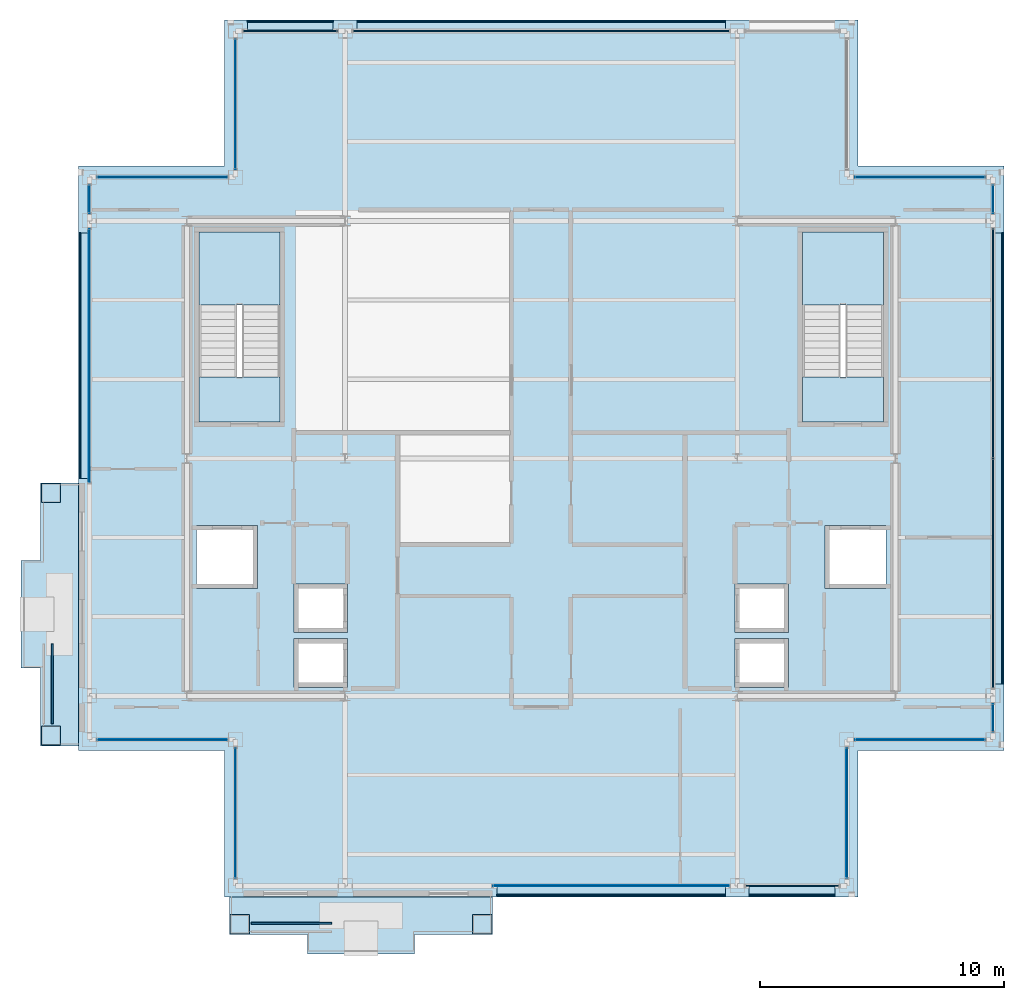
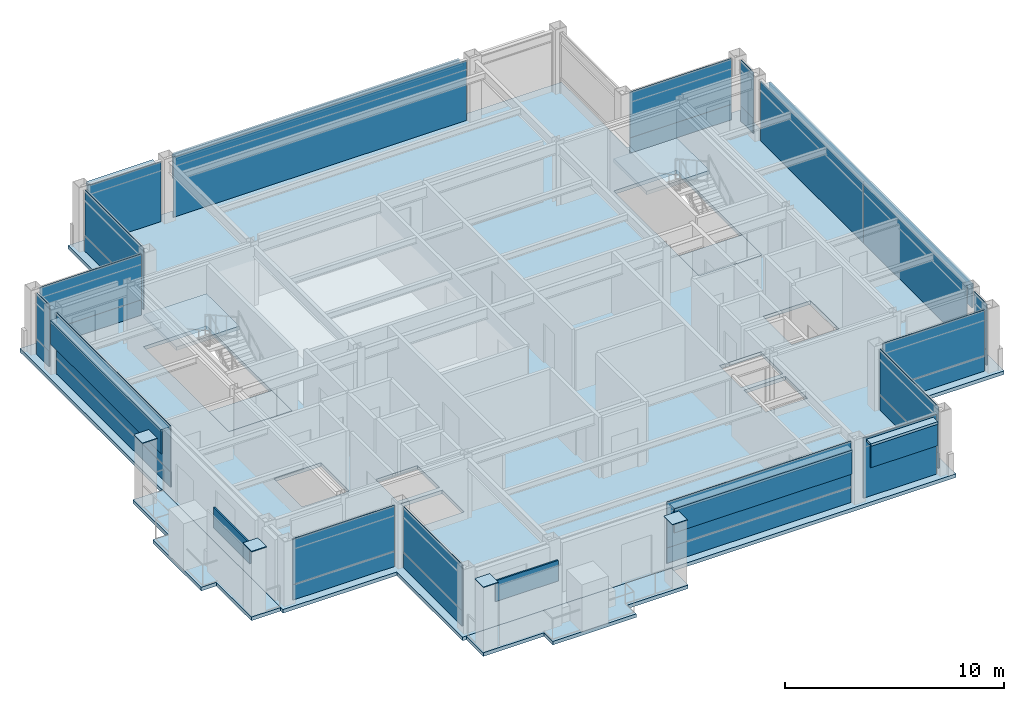
# One storey, part 21 of 27: 47 plates, 7 slabs, 18 elements without a shape of their own.
"""IFC4 building model written with IfcOpenShell, lengths in metres."""

import ifcopenshell
import ifcopenshell.guid

model = None  # the IFC model being written
_history = None  # IfcOwnerHistory: only IFC2X3 demands one
_inside = {}  # id of a spatial element -> (the spatial element, [elements in it])
_under = {}  # id of a project, library or spatial element -> (it, [spatial elements below it])
_declared = {}  # id of a project -> (the project, [libraries it declares])
_typed = {}  # id of a type object -> (the type object, [elements of that type])
_made_of = {}  # id of a material, layer set ... -> (it, [elements and type objects made of it])


def new_model(schema):
    """Start an empty IFC model of exactly this schema.

    Asked for "IFC4X3", IfcOpenShell would pick the latest addendum, in which some entities
    have other attributes; the version numbers below select the first issue.
    IFC2X3 requires an IfcOwnerHistory on every rooted entity: one is made here for all.
    """
    global model, _history
    if schema == "IFC4X3":
        model = ifcopenshell.file(schema_version=(4, 3, 0, 0))
    else:
        model = ifcopenshell.file(schema=schema)
    _inside.clear()
    _under.clear()
    _declared.clear()
    _typed.clear()
    _made_of.clear()
    _history = None
    if model.schema == "IFC2X3":
        org = make("IfcOrganization", Name="unknown")
        user = make(
            "IfcPersonAndOrganization",
            ThePerson=make("IfcPerson", FamilyName="unknown"),
            TheOrganization=org,
        )
        app = make(
            "IfcApplication",
            ApplicationDeveloper=org,
            Version="unknown",
            ApplicationFullName="unknown",
            ApplicationIdentifier="unknown",
        )
        _history = make(
            "IfcOwnerHistory",
            OwningUser=user,
            OwningApplication=app,
            ChangeAction="ADDED",
            CreationDate=0,
        )
    return model


def make(cls, **values):
    """One entity of the class cls with the attributes given. An attribute that is None is left unset."""
    return model.create_entity(
        cls, **{name: value for name, value in values.items() if value is not None}
    )


def rooted(cls, **values):
    """An entity with a GlobalId (a new one), such as an element, a storey or a relation."""
    return make(cls, GlobalId=ifcopenshell.guid.new(), OwnerHistory=_history, **values)


def si_unit(unit_type, name, prefix=None):
    """IfcSIUnit, for example si_unit("LENGTHUNIT", "METRE", prefix="MILLI")."""
    return make("IfcSIUnit", UnitType=unit_type, Prefix=prefix, Name=name)


def assignment(units):
    """IfcUnitAssignment: the units of a project."""
    return None if units is None else make("IfcUnitAssignment", Units=units)


def point(xyz):
    """IfcCartesianPoint."""
    return None if xyz is None else make("IfcCartesianPoint", Coordinates=xyz)


def direction(xyz):
    """IfcDirection."""
    return None if xyz is None else make("IfcDirection", DirectionRatios=xyz)


def frame(location, z_axis=None, x_axis=None):
    """IfcAxis2Placement3D, a coordinate frame: its origin and axes. An axis left out is left unset."""
    return make(
        "IfcAxis2Placement3D",
        Location=point(location),
        Axis=direction(z_axis),
        RefDirection=direction(x_axis),
    )


def frame_2d(location, x_axis=None):
    """IfcAxis2Placement2D, a coordinate frame in the plane: its origin and x axis."""
    return make(
        "IfcAxis2Placement2D", Location=point(location), RefDirection=direction(x_axis)
    )


def origin():
    """The frame at (0, 0, 0) with its axes left unset."""
    return frame((0.0, 0.0, 0.0))


def origin_2d():
    """The frame at (0, 0) in the plane with its x axis left unset."""
    return frame_2d((0.0, 0.0))


def place(relative_to, where):
    """IfcLocalPlacement: puts the frame where relative to a parent placement (None: the world)."""
    return make(
        "IfcLocalPlacement", PlacementRelTo=relative_to, RelativePlacement=where
    )


def context(
    kind, dimensions, precision=None, world=None, true_north=None, identifier=None
):
    """IfcGeometricRepresentationContext, for example the 3D "Model" context."""
    return make(
        "IfcGeometricRepresentationContext",
        ContextIdentifier=identifier,
        ContextType=kind,
        CoordinateSpaceDimension=dimensions,
        Precision=precision,
        WorldCoordinateSystem=world,
        TrueNorth=true_north,
    )


def subcontext(parent, identifier, kind, view, scale=None):
    """IfcGeometricRepresentationSubContext, for example "Body" below "Model"."""
    return make(
        "IfcGeometricRepresentationSubContext",
        ContextIdentifier=identifier,
        ContextType=kind,
        ParentContext=parent,
        TargetScale=scale,
        TargetView=view,
    )


def project(units=None, contexts=None):
    """IfcProject with its units and contexts."""
    return rooted(
        "IfcProject",
        Name="project",
        RepresentationContexts=contexts,
        UnitsInContext=assignment(units),
    )


def spatial(cls, under=None, at=None, **own):
    """A site, building, storey or space (cls), placed at a placement, below another one or the project."""
    s = rooted(cls, ObjectPlacement=at, **own)
    if under is not None:
        _under.setdefault(under.id(), (under, []))[1].append(s)
    return s


def polyline(points):
    """IfcPolyline through the points."""
    return make("IfcPolyline", Points=[point(p) for p in points])


def profile(cls, at=None, kind="AREA", **sizes):
    """A parametric profile (cls). Its sizes go by their IFC names, for example OverallWidth=200.0."""
    return make(cls, ProfileType=kind, Position=at, **sizes)


def rectangle(**sizes):
    """IfcRectangleProfileDef."""
    return profile("IfcRectangleProfileDef", **sizes)


def outline(outer, holes=None, kind="AREA"):
    """IfcArbitraryClosedProfileDef: a profile drawn as a closed curve; with holes, ...WithVoids."""
    if holes is None:
        return make("IfcArbitraryClosedProfileDef", ProfileType=kind, OuterCurve=outer)
    return make(
        "IfcArbitraryProfileDefWithVoids",
        ProfileType=kind,
        OuterCurve=outer,
        InnerCurves=holes,
    )


def extrude(swept, where, along, depth):
    """IfcExtrudedAreaSolid: the profile swept, set in the frame where, extruded along a direction by depth."""
    return make(
        "IfcExtrudedAreaSolid",
        SweptArea=swept,
        Position=where,
        ExtrudedDirection=direction(along),
        Depth=depth,
    )


def shape(context_of_items, identifier, shape_type, items):
    """IfcShapeRepresentation: the items that make up one representation, for example the "Body"."""
    return make(
        "IfcShapeRepresentation",
        ContextOfItems=context_of_items,
        RepresentationIdentifier=identifier,
        RepresentationType=shape_type,
        Items=items,
    )


def material(Name=None, Category=None):
    """IfcMaterial."""
    return make("IfcMaterial", Name=Name, Category=Category)


def layer(
    of_material, thickness, ventilated=None, Name=None, Category=None, Priority=None
):
    """IfcMaterialLayer: one layer of a wall or slab, of a material (None: an air gap)."""
    return make(
        "IfcMaterialLayer",
        Material=of_material,
        LayerThickness=thickness,
        IsVentilated=ventilated,
        Name=Name,
        Category=Category,
        Priority=Priority,
    )


def layer_set(layers, Name=None):
    """IfcMaterialLayerSet."""
    return make("IfcMaterialLayerSet", MaterialLayers=layers, LayerSetName=Name)


def made_of(thing, what):
    """Note that an element or type object is made of a material, layer set ...; save() writes the relation."""
    if what is not None:
        _made_of.setdefault(what.id(), (what, []))[1].append(thing)
    return thing


def type_object(cls, material=None, **own):
    """A type object (cls), such as IfcWallType, which elements share."""
    return made_of(rooted(cls, **own), material)


def element(
    cls,
    number,
    at=None,
    inside=None,
    cuts=None,
    type_object=None,
    material=None,
    context=None,
    identifier="Body",
    shape_type=None,
    held_by="IfcProductDefinitionShape",
    body=None,
    shapes=None,
    **own,
):
    """One element of the class cls, such as IfcWall. Its Tag is "e" and its number.

    at: its placement. inside: the storey or other place that contains it. cuts: it is an
    opening in that element (IfcRelVoidsElement). A single representation is given by context,
    identifier, shape_type and body (its items); several are given by shapes. held_by: the class
    of the entity that holds the representations. save() writes the other relations.
    """
    e = rooted(cls, Tag="e%d" % number, ObjectPlacement=at, **own)
    if body is not None:
        shapes = [shape(context, identifier, shape_type, body)]
    if shapes is not None:
        e.Representation = make(held_by, Representations=shapes)
    if inside is not None:
        _inside.setdefault(inside.id(), (inside, []))[1].append(e)
    if cuts is not None:
        rooted(
            "IfcRelVoidsElement", RelatingBuildingElement=cuts, RelatedOpeningElement=e
        )
    if type_object is not None:
        _typed.setdefault(type_object.id(), (type_object, []))[1].append(e)
    return made_of(e, material)


def aggregate(whole, parts):
    """IfcRelAggregates: a whole, such as a stair, and the parts it consists of."""
    return rooted("IfcRelAggregates", RelatingObject=whole, RelatedObjects=parts)


def save(model, path):
    """Write the relations noted so far, then the file.

    IfcRelAggregates (storeys below a building ...), IfcRelContainedInSpatialStructure (elements
    in a storey), IfcRelDefinesByType, IfcRelAssociatesMaterial and IfcRelDeclares: one each for
    every whole, place, type object, material and project.
    """
    for whole, parts in _under.values():
        aggregate(whole, parts)
    for where, things in _inside.values():
        rooted(
            "IfcRelContainedInSpatialStructure",
            RelatedElements=things,
            RelatingStructure=where,
        )
    for kind, things in _typed.values():
        rooted("IfcRelDefinesByType", RelatedObjects=things, RelatingType=kind)
    for what, things in _made_of.values():
        rooted("IfcRelAssociatesMaterial", RelatedObjects=things, RelatingMaterial=what)
    for by, libraries in _declared.values():
        rooted("IfcRelDeclares", RelatingContext=by, RelatedDefinitions=libraries)
    model.write(path)


model = new_model("IFC4")

# Units and contexts
model_context = context("Model", 3, precision=1e-05, world=origin(), true_north=direction((0.0, 1.0)))
body_context = subcontext(model_context, "Body", "Model", "MODEL_VIEW")
ifc_project = project(units=[si_unit("LENGTHUNIT", "METRE"), si_unit("AREAUNIT", "SQUARE_METRE"), si_unit("VOLUMEUNIT", "CUBIC_METRE"), si_unit("PLANEANGLEUNIT", "RADIAN"), si_unit("MASSUNIT", "GRAM", prefix="KILO")], contexts=[model_context])

# Site, building, storey
site_placement = place(None, origin())
site = spatial("IfcSite", under=ifc_project, at=site_placement, CompositionType="ELEMENT")
building_placement = place(site_placement, origin())
building = spatial("IfcBuilding", under=site, at=building_placement, Name="Brelmoor Portico Tower", CompositionType="ELEMENT")
storey_placement = place(building_placement, frame((0.0, 0.0, 250.800048828125)))
storey = spatial("IfcBuildingStorey", under=building, at=storey_placement, Name="L66", CompositionType="ELEMENT", Elevation=250.800048828125)

# Plates
ifc_material_1 = material(Name="Steel Q355B", Category="steel")
ifc_layer_1 = layer(ifc_material_1, 0.044921875)
ifc_layer_set_1 = layer_set([ifc_layer_1], Name="Steel Q355B")
plate_type_1 = type_object("IfcPlateType", Name="PT-CAP-650", PredefinedType="SHEET", material=ifc_layer_set_1)
for number, where, z_axis, x_axis, name in (
    (1, (-12.3798828125, -19.1298828125, 3.599853515625), (0.0, 0.0, 1.0), (1.0, 0.0, 0.0), "L66 Proud Picture-Frame Pier PFJ-S1 Welded Head Cap Plate"),
    (2, (-2.419921875, -19.1298828125, 3.599853515625), (0.0, 0.0, 1.0), (1.0, 0.0, 0.0), "L66 Proud Picture-Frame Pier PFJ-S2 Welded Head Cap Plate"),
    (3, (-20.1298828125, -11.3798828125, 3.599853515625), (0.0, 0.0, 1.0), (0.0, 1.0, 0.0), "L66 Proud Picture-Frame Pier PFJ-W1 Welded Head Cap Plate"),
    (4, (-20.1298828125, -1.419921875, 3.599853515625), (0.0, 0.0, 1.0), (0.0, 1.0, 0.0), "L66 Proud Picture-Frame Pier PFJ-W2 Welded Head Cap Plate"),
):
    element("IfcPlate", number, at=place(storey_placement, frame(where, z_axis=z_axis, x_axis=x_axis)), inside=storey, type_object=plate_type_1, Name=name, PredefinedType="SHEET", context=body_context, shape_type="SweptSolid", body=[
        extrude(rectangle(XDim=0.7900390625, YDim=0.7900390625, at=origin_2d()), origin(), (0.0, 0.0, 1.0), 0.0400390625),
    ])

# Curtain wall, plate
ifc_material_2 = material(Name="Anodised Aluminium Alloy 6063-T6", Category="aluminium")
ifc_layer_2 = layer(ifc_material_2, 0.179931640625)
ifc_layer_set_2 = layer_set([ifc_layer_2], Name="Anodised Aluminium Alloy 6063-T6")
curtain_wall_type_1 = type_object("IfcCurtainWallType", Name="CW-TOWER-Z4", PredefinedType="NOTDEFINED", material=ifc_layer_set_2)
curtain_wall_1_placement = place(storey_placement, origin())
curtain_wall_1 = element("IfcCurtainWall", 5, at=curtain_wall_1_placement, inside=storey, type_object=curtain_wall_type_1, Name="L66 Curtain Wall CW-L66-1R-1", PredefinedType="NOTDEFINED")
ifc_material_3 = material(Name="Double-Silver Low-E Insulated Glazing", Category="glass")
ifc_layer_3 = layer(ifc_material_3, 0.035888671875)
ifc_layer_set_3 = layer_set([ifc_layer_3], Name="Double-Silver Low-E Insulated Glazing")
plate_type_2 = type_object("IfcPlateType", Name="PT-CW-GLASS", PredefinedType="CURTAIN_PANEL", material=ifc_layer_set_3)
plate_1_placement = place(storey_placement, frame((2.8701171875, -17.550048828125, 0.85009765625), z_axis=(0.0, 0.0, 1.0), x_axis=(1.0, 0.0, 0.0)))
plate_1 = element("IfcPlate", 6, at=plate_1_placement, type_object=plate_type_2, Name="CW-L66-1R-1 Vision Glass Panel 00", PredefinedType="CURTAIN_PANEL", context=body_context, shape_type="SweptSolid", body=[
    extrude(rectangle(XDim=9.7099609375, YDim=0.035888671875, at=origin_2d()), origin(), (0.0, 0.0, 1.0), 2.550048828125),
])

curtain_wall_2_placement = place(storey_placement, origin())
curtain_wall_2 = element("IfcCurtainWall", 7, at=curtain_wall_2_placement, inside=storey, type_object=curtain_wall_type_1, Name="L66 Curtain Wall CW-L66-3R-1", PredefinedType="NOTDEFINED")
plate_2_placement = place(storey_placement, frame((-18.550048828125, 4.219970703125, 0.85009765625), z_axis=(0.0, 0.0, 1.0), x_axis=(0.0, 1.0, 0.0)))
plate_2 = element("IfcPlate", 8, at=plate_2_placement, type_object=plate_type_2, Name="CW-L66-3R-1 Vision Glass Panel 00", PredefinedType="CURTAIN_PANEL", context=body_context, shape_type="SweptSolid", body=[
    extrude(rectangle(XDim=10.409912109375, YDim=0.035888671875, at=origin_2d()), origin(), (0.0, 0.0, 1.0), 2.550048828125),
])

curtain_wall_3_placement = place(storey_placement, origin())
curtain_wall_3 = element("IfcCurtainWall", 9, at=curtain_wall_3_placement, inside=storey, type_object=curtain_wall_type_1, Name="L66 Curtain Wall CW-L66-3R-2", PredefinedType="NOTDEFINED")
plate_3_placement = place(storey_placement, frame((-18.550048828125, 10.64990234375, 0.85009765625), z_axis=(0.0, 0.0, 1.0), x_axis=(0.0, 1.0, 0.0)))
plate_3 = element("IfcPlate", 10, at=plate_3_placement, type_object=plate_type_2, Name="CW-L66-3R-2 Vision Glass Panel 00", PredefinedType="CURTAIN_PANEL", context=body_context, shape_type="SweptSolid", body=[
    extrude(rectangle(XDim=1.14990234375, YDim=0.035888671875, at=origin_2d()), origin(), (0.0, 0.0, 1.0), 2.550048828125),
])

curtain_wall_4_placement = place(storey_placement, origin())
curtain_wall_4 = element("IfcCurtainWall", 11, at=curtain_wall_4_placement, inside=storey, type_object=curtain_wall_type_1, Name="L66 Curtain Wall CW-L66-04-1", PredefinedType="NOTDEFINED")
plate_4_placement = place(storey_placement, frame((18.550048828125, -10.64990234375, 0.85009765625), z_axis=(0.0, 0.0, 1.0), x_axis=(0.0, 1.0, 0.0)))
plate_4 = element("IfcPlate", 12, at=plate_4_placement, type_object=plate_type_2, Name="CW-L66-04-1 Vision Glass Panel 00", PredefinedType="CURTAIN_PANEL", context=body_context, shape_type="SweptSolid", body=[
    extrude(rectangle(XDim=1.14990234375, YDim=0.035888671875, at=origin_2d()), origin(), (0.0, 0.0, 1.0), 2.550048828125),
])

curtain_wall_5_placement = place(storey_placement, origin())
curtain_wall_5 = element("IfcCurtainWall", 13, at=curtain_wall_5_placement, inside=storey, type_object=curtain_wall_type_1, Name="L66 Curtain Wall CW-L66-04-3", PredefinedType="NOTDEFINED")
plate_5_placement = place(storey_placement, frame((18.550048828125, 10.64990234375, 0.85009765625), z_axis=(0.0, 0.0, 1.0), x_axis=(0.0, 1.0, 0.0)))
plate_5 = element("IfcPlate", 14, at=plate_5_placement, type_object=plate_type_2, Name="CW-L66-04-3 Vision Glass Panel 00", PredefinedType="CURTAIN_PANEL", context=body_context, shape_type="SweptSolid", body=[
    extrude(rectangle(XDim=1.14990234375, YDim=0.035888671875, at=origin_2d()), origin(), (0.0, 0.0, 1.0), 2.550048828125),
])

ifc_layer_4 = layer(ifc_material_2, 0.179931640625)
ifc_layer_set_4 = layer_set([ifc_layer_4], Name="Anodised Aluminium Alloy 6063-T6")
curtain_wall_type_2 = type_object("IfcCurtainWallType", Name="CW-NOTCH-CHAMFER", PredefinedType="NOTDEFINED", material=ifc_layer_set_4)
curtain_wall_6_placement = place(storey_placement, origin())
curtain_wall_6 = element("IfcCurtainWall", 15, at=curtain_wall_6_placement, inside=storey, type_object=curtain_wall_type_2, Name="L66 Curtain Wall CWN-L66-SWH", PredefinedType="NOTDEFINED")
plate_6_placement = place(storey_placement, frame((-15.550048828125, -11.550048828125, 0.85009765625), z_axis=(0.0, 0.0, 1.0), x_axis=(1.0, 0.0, 0.0)))
plate_6 = element("IfcPlate", 16, at=plate_6_placement, type_object=plate_type_2, Name="CWN-L66-SWH Vision Glass Panel 00", PredefinedType="CURTAIN_PANEL", context=body_context, shape_type="SweptSolid", body=[
    extrude(rectangle(XDim=5.35009765625, YDim=0.035888671875, at=origin_2d()), origin(), (0.0, 0.0, 1.0), 2.550048828125),
])

curtain_wall_7_placement = place(storey_placement, origin())
curtain_wall_7 = element("IfcCurtainWall", 17, at=curtain_wall_7_placement, inside=storey, type_object=curtain_wall_type_2, Name="L66 Curtain Wall CWN-L66-SWV", PredefinedType="NOTDEFINED")
plate_7_placement = place(storey_placement, frame((-12.550048828125, -14.550048828125, 0.85009765625), z_axis=(0.0, 0.0, 1.0), x_axis=(0.0, 1.0, 0.0)))
plate_7 = element("IfcPlate", 18, at=plate_7_placement, type_object=plate_type_2, Name="CWN-L66-SWV Vision Glass Panel 00", PredefinedType="CURTAIN_PANEL", context=body_context, shape_type="SweptSolid", body=[
    extrude(rectangle(XDim=5.35009765625, YDim=0.035888671875, at=origin_2d()), origin(), (0.0, 0.0, 1.0), 2.550048828125),
])

curtain_wall_8_placement = place(storey_placement, origin())
curtain_wall_8 = element("IfcCurtainWall", 19, at=curtain_wall_8_placement, inside=storey, type_object=curtain_wall_type_2, Name="L66 Curtain Wall CWN-L66-SEH", PredefinedType="NOTDEFINED")
plate_8_placement = place(storey_placement, frame((15.550048828125, -11.550048828125, 0.85009765625), z_axis=(0.0, 0.0, 1.0), x_axis=(1.0, 0.0, 0.0)))
plate_8 = element("IfcPlate", 20, at=plate_8_placement, type_object=plate_type_2, Name="CWN-L66-SEH Vision Glass Panel 00", PredefinedType="CURTAIN_PANEL", context=body_context, shape_type="SweptSolid", body=[
    extrude(rectangle(XDim=5.35009765625, YDim=0.035888671875, at=origin_2d()), origin(), (0.0, 0.0, 1.0), 2.550048828125),
])

curtain_wall_9_placement = place(storey_placement, origin())
curtain_wall_9 = element("IfcCurtainWall", 21, at=curtain_wall_9_placement, inside=storey, type_object=curtain_wall_type_2, Name="L66 Curtain Wall CWN-L66-SEV", PredefinedType="NOTDEFINED")
plate_9_placement = place(storey_placement, frame((12.550048828125, -14.550048828125, 0.85009765625), z_axis=(0.0, 0.0, 1.0), x_axis=(0.0, 1.0, 0.0)))
plate_9 = element("IfcPlate", 22, at=plate_9_placement, type_object=plate_type_2, Name="CWN-L66-SEV Vision Glass Panel 00", PredefinedType="CURTAIN_PANEL", context=body_context, shape_type="SweptSolid", body=[
    extrude(rectangle(XDim=5.35009765625, YDim=0.035888671875, at=origin_2d()), origin(), (0.0, 0.0, 1.0), 2.550048828125),
])

curtain_wall_10_placement = place(storey_placement, origin())
curtain_wall_10 = element("IfcCurtainWall", 23, at=curtain_wall_10_placement, inside=storey, type_object=curtain_wall_type_2, Name="L66 Curtain Wall CWN-L66-NWH", PredefinedType="NOTDEFINED")
plate_10_placement = place(storey_placement, frame((-15.550048828125, 11.550048828125, 0.85009765625), z_axis=(0.0, 0.0, 1.0), x_axis=(1.0, 0.0, 0.0)))
plate_10 = element("IfcPlate", 24, at=plate_10_placement, type_object=plate_type_2, Name="CWN-L66-NWH Vision Glass Panel 00", PredefinedType="CURTAIN_PANEL", context=body_context, shape_type="SweptSolid", body=[
    extrude(rectangle(XDim=5.35009765625, YDim=0.035888671875, at=origin_2d()), origin(), (0.0, 0.0, 1.0), 2.550048828125),
])

curtain_wall_11_placement = place(storey_placement, origin())
curtain_wall_11 = element("IfcCurtainWall", 25, at=curtain_wall_11_placement, inside=storey, type_object=curtain_wall_type_2, Name="L66 Curtain Wall CWN-L66-NWV", PredefinedType="NOTDEFINED")
plate_11_placement = place(storey_placement, frame((-12.550048828125, 14.550048828125, 0.85009765625), z_axis=(0.0, 0.0, 1.0), x_axis=(0.0, 1.0, 0.0)))
plate_11 = element("IfcPlate", 26, at=plate_11_placement, type_object=plate_type_2, Name="CWN-L66-NWV Vision Glass Panel 00", PredefinedType="CURTAIN_PANEL", context=body_context, shape_type="SweptSolid", body=[
    extrude(rectangle(XDim=5.35009765625, YDim=0.035888671875, at=origin_2d()), origin(), (0.0, 0.0, 1.0), 2.550048828125),
])

curtain_wall_12_placement = place(storey_placement, origin())
curtain_wall_12 = element("IfcCurtainWall", 27, at=curtain_wall_12_placement, inside=storey, type_object=curtain_wall_type_2, Name="L66 Curtain Wall CWN-L66-NEH", PredefinedType="NOTDEFINED")
plate_12_placement = place(storey_placement, frame((15.550048828125, 11.550048828125, 0.85009765625), z_axis=(0.0, 0.0, 1.0), x_axis=(1.0, 0.0, 0.0)))
plate_12 = element("IfcPlate", 28, at=plate_12_placement, type_object=plate_type_2, Name="CWN-L66-NEH Vision Glass Panel 00", PredefinedType="CURTAIN_PANEL", context=body_context, shape_type="SweptSolid", body=[
    extrude(rectangle(XDim=5.35009765625, YDim=0.035888671875, at=origin_2d()), origin(), (0.0, 0.0, 1.0), 2.550048828125),
])

# Plate
ifc_material_4 = material(Name="Pale Champagne Anodised Aluminium Panel", Category="aluminium")
ifc_layer_5 = layer(ifc_material_4, 0.050048828125)
ifc_layer_set_5 = layer_set([ifc_layer_5], Name="Pale Champagne Anodised Aluminium Panel")
plate_type_3 = type_object("IfcPlateType", Name="PT-CW-SPANDREL", PredefinedType="SHEET", material=ifc_layer_set_5)
plate_13_placement = place(storey_placement, frame((2.8701171875, -17.550048828125, 0.0), z_axis=(0.0, 0.0, 1.0), x_axis=(1.0, 0.0, 0.0)))
plate_13 = element("IfcPlate", 29, at=plate_13_placement, type_object=plate_type_3, Name="CW-L66-1R-1 Spandrel Panel 00", PredefinedType="SHEET", context=body_context, shape_type="SweptSolid", body=[
    extrude(rectangle(XDim=9.7099609375, YDim=0.050048828125, at=origin_2d()), origin(), (0.0, 0.0, 1.0), 0.85009765625),
])

aggregate(curtain_wall_1, [plate_13, plate_1])

# Curtain wall, plate
ifc_layer_6 = layer(ifc_material_2, 0.179931640625)
ifc_layer_set_6 = layer_set([ifc_layer_6], Name="Anodised Aluminium Alloy 6063-T6")
curtain_wall_type_3 = type_object("IfcCurtainWallType", Name="CW-TOWER-Z4-XB", PredefinedType="NOTDEFINED", material=ifc_layer_set_6)
curtain_wall_13_placement = place(storey_placement, origin())
curtain_wall_13 = element("IfcCurtainWall", 30, at=curtain_wall_13_placement, inside=storey, type_object=curtain_wall_type_3, Name="L66 Curtain Wall CW-L66-1R-2", PredefinedType="NOTDEFINED")
plate_14_placement = place(storey_placement, frame((10.300048828125, -17.550048828125, 0.0), z_axis=(0.0, 0.0, 1.0), x_axis=(1.0, 0.0, 0.0)))
plate_14 = element("IfcPlate", 31, at=plate_14_placement, type_object=plate_type_3, Name="CW-L66-1R-2 Spandrel Panel 00", PredefinedType="SHEET", context=body_context, shape_type="SweptSolid", body=[
    extrude(rectangle(XDim=3.85009765625, YDim=0.050048828125, at=origin_2d()), origin(), (0.0, 0.0, 1.0), 3.33740234375),
])
aggregate(curtain_wall_13, [plate_14])

curtain_wall_14_placement = place(storey_placement, origin())
curtain_wall_14 = element("IfcCurtainWall", 32, at=curtain_wall_14_placement, inside=storey, type_object=curtain_wall_type_3, Name="L66 Curtain Wall CW-L66-02-1", PredefinedType="NOTDEFINED")
plate_15_placement = place(storey_placement, frame((-10.300048828125, 17.550048828125, 0.0), z_axis=(0.0, 0.0, 1.0), x_axis=(1.0, 0.0, 0.0)))
plate_15 = element("IfcPlate", 33, at=plate_15_placement, type_object=plate_type_3, Name="CW-L66-02-1 Spandrel Panel 00", PredefinedType="SHEET", context=body_context, shape_type="SweptSolid", body=[
    extrude(rectangle(XDim=3.85009765625, YDim=0.050048828125, at=origin_2d()), origin(), (0.0, 0.0, 1.0), 3.33740234375),
])
aggregate(curtain_wall_14, [plate_15])

curtain_wall_15_placement = place(storey_placement, origin())
curtain_wall_15 = element("IfcCurtainWall", 34, at=curtain_wall_15_placement, inside=storey, type_object=curtain_wall_type_3, Name="L66 Curtain Wall CW-L66-02-2", PredefinedType="NOTDEFINED")
plate_16_placement = place(storey_placement, frame((0.0, 17.550048828125, 0.0), z_axis=(0.0, 0.0, 1.0), x_axis=(1.0, 0.0, 0.0)))
plate_16 = element("IfcPlate", 35, at=plate_16_placement, type_object=plate_type_3, Name="CW-L66-02-2 Spandrel Panel 00", PredefinedType="SHEET", context=body_context, shape_type="SweptSolid", body=[
    extrude(rectangle(XDim=15.449951171875, YDim=0.050048828125, at=origin_2d()), origin(), (0.0, 0.0, 1.0), 3.33740234375),
])
aggregate(curtain_wall_15, [plate_16])

# Plate
plate_17_placement = place(storey_placement, frame((-18.550048828125, 4.219970703125, 0.0), z_axis=(0.0, 0.0, 1.0), x_axis=(0.0, 1.0, 0.0)))
plate_17 = element("IfcPlate", 36, at=plate_17_placement, type_object=plate_type_3, Name="CW-L66-3R-1 Spandrel Panel 00", PredefinedType="SHEET", context=body_context, shape_type="SweptSolid", body=[
    extrude(rectangle(XDim=10.409912109375, YDim=0.050048828125, at=origin_2d()), origin(), (0.0, 0.0, 1.0), 0.85009765625),
])

aggregate(curtain_wall_2, [plate_17, plate_2])

plate_18_placement = place(storey_placement, frame((-18.550048828125, 10.64990234375, 0.0), z_axis=(0.0, 0.0, 1.0), x_axis=(0.0, 1.0, 0.0)))
plate_18 = element("IfcPlate", 37, at=plate_18_placement, type_object=plate_type_3, Name="CW-L66-3R-2 Spandrel Panel 00", PredefinedType="SHEET", context=body_context, shape_type="SweptSolid", body=[
    extrude(rectangle(XDim=1.14990234375, YDim=0.050048828125, at=origin_2d()), origin(), (0.0, 0.0, 1.0), 0.85009765625),
])

aggregate(curtain_wall_3, [plate_18, plate_3])

plate_19_placement = place(storey_placement, frame((18.550048828125, -10.64990234375, 0.0), z_axis=(0.0, 0.0, 1.0), x_axis=(0.0, 1.0, 0.0)))
plate_19 = element("IfcPlate", 38, at=plate_19_placement, type_object=plate_type_3, Name="CW-L66-04-1 Spandrel Panel 00", PredefinedType="SHEET", context=body_context, shape_type="SweptSolid", body=[
    extrude(rectangle(XDim=1.14990234375, YDim=0.050048828125, at=origin_2d()), origin(), (0.0, 0.0, 1.0), 0.85009765625),
])

aggregate(curtain_wall_4, [plate_19, plate_4])

# Curtain wall, plates
curtain_wall_16_placement = place(storey_placement, origin())
curtain_wall_16 = element("IfcCurtainWall", 39, at=curtain_wall_16_placement, inside=storey, type_object=curtain_wall_type_3, Name="L66 Curtain Wall CW-L66-04-2", PredefinedType="NOTDEFINED")
plate_20_placement = place(storey_placement, frame((18.550048828125, -4.719970703125, 0.0), z_axis=(0.0, 0.0, 1.0), x_axis=(0.0, 1.0, 0.0)))
plate_20 = element("IfcPlate", 40, at=plate_20_placement, type_object=plate_type_3, Name="CW-L66-04-2 Spandrel Panel 00", PredefinedType="SHEET", context=body_context, shape_type="SweptSolid", body=[
    extrude(rectangle(XDim=9.409912109375, YDim=0.050048828125, at=origin_2d()), origin(), (0.0, 0.0, 1.0), 3.33740234375),
])
plate_21_placement = place(storey_placement, frame((18.550048828125, 4.719970703125, 0.0), z_axis=(0.0, 0.0, 1.0), x_axis=(0.0, 1.0, 0.0)))
plate_21 = element("IfcPlate", 41, at=plate_21_placement, type_object=plate_type_3, Name="CW-L66-04-2 Spandrel Panel 01", PredefinedType="SHEET", context=body_context, shape_type="SweptSolid", body=[
    extrude(rectangle(XDim=9.409912109375, YDim=0.050048828125, at=origin_2d()), origin(), (0.0, 0.0, 1.0), 3.33740234375),
])
aggregate(curtain_wall_16, [plate_20, plate_21])

# Plate
plate_22_placement = place(storey_placement, frame((18.550048828125, 10.64990234375, 0.0), z_axis=(0.0, 0.0, 1.0), x_axis=(0.0, 1.0, 0.0)))
plate_22 = element("IfcPlate", 42, at=plate_22_placement, type_object=plate_type_3, Name="CW-L66-04-3 Spandrel Panel 00", PredefinedType="SHEET", context=body_context, shape_type="SweptSolid", body=[
    extrude(rectangle(XDim=1.14990234375, YDim=0.050048828125, at=origin_2d()), origin(), (0.0, 0.0, 1.0), 0.85009765625),
])

aggregate(curtain_wall_5, [plate_22, plate_5])

plate_23_placement = place(storey_placement, frame((-15.550048828125, -11.550048828125, 0.0), z_axis=(0.0, 0.0, 1.0), x_axis=(1.0, 0.0, 0.0)))
plate_23 = element("IfcPlate", 43, at=plate_23_placement, type_object=plate_type_3, Name="CWN-L66-SWH Spandrel Panel 00", PredefinedType="SHEET", context=body_context, shape_type="SweptSolid", body=[
    extrude(rectangle(XDim=5.35009765625, YDim=0.050048828125, at=origin_2d()), origin(), (0.0, 0.0, 1.0), 0.85009765625),
])

aggregate(curtain_wall_6, [plate_23, plate_6])

plate_24_placement = place(storey_placement, frame((-12.550048828125, -14.550048828125, 0.0), z_axis=(0.0, 0.0, 1.0), x_axis=(0.0, 1.0, 0.0)))
plate_24 = element("IfcPlate", 44, at=plate_24_placement, type_object=plate_type_3, Name="CWN-L66-SWV Spandrel Panel 00", PredefinedType="SHEET", context=body_context, shape_type="SweptSolid", body=[
    extrude(rectangle(XDim=5.35009765625, YDim=0.050048828125, at=origin_2d()), origin(), (0.0, 0.0, 1.0), 0.85009765625),
])

aggregate(curtain_wall_7, [plate_24, plate_7])

plate_25_placement = place(storey_placement, frame((15.550048828125, -11.550048828125, 0.0), z_axis=(0.0, 0.0, 1.0), x_axis=(1.0, 0.0, 0.0)))
plate_25 = element("IfcPlate", 45, at=plate_25_placement, type_object=plate_type_3, Name="CWN-L66-SEH Spandrel Panel 00", PredefinedType="SHEET", context=body_context, shape_type="SweptSolid", body=[
    extrude(rectangle(XDim=5.35009765625, YDim=0.050048828125, at=origin_2d()), origin(), (0.0, 0.0, 1.0), 0.85009765625),
])

aggregate(curtain_wall_8, [plate_25, plate_8])

plate_26_placement = place(storey_placement, frame((12.550048828125, -14.550048828125, 0.0), z_axis=(0.0, 0.0, 1.0), x_axis=(0.0, 1.0, 0.0)))
plate_26 = element("IfcPlate", 46, at=plate_26_placement, type_object=plate_type_3, Name="CWN-L66-SEV Spandrel Panel 00", PredefinedType="SHEET", context=body_context, shape_type="SweptSolid", body=[
    extrude(rectangle(XDim=5.35009765625, YDim=0.050048828125, at=origin_2d()), origin(), (0.0, 0.0, 1.0), 0.85009765625),
])

aggregate(curtain_wall_9, [plate_26, plate_9])

plate_27_placement = place(storey_placement, frame((-15.550048828125, 11.550048828125, 0.0), z_axis=(0.0, 0.0, 1.0), x_axis=(1.0, 0.0, 0.0)))
plate_27 = element("IfcPlate", 47, at=plate_27_placement, type_object=plate_type_3, Name="CWN-L66-NWH Spandrel Panel 00", PredefinedType="SHEET", context=body_context, shape_type="SweptSolid", body=[
    extrude(rectangle(XDim=5.35009765625, YDim=0.050048828125, at=origin_2d()), origin(), (0.0, 0.0, 1.0), 0.85009765625),
])

aggregate(curtain_wall_10, [plate_27, plate_10])

plate_28_placement = place(storey_placement, frame((-12.550048828125, 14.550048828125, 0.0), z_axis=(0.0, 0.0, 1.0), x_axis=(0.0, 1.0, 0.0)))
plate_28 = element("IfcPlate", 48, at=plate_28_placement, type_object=plate_type_3, Name="CWN-L66-NWV Spandrel Panel 00", PredefinedType="SHEET", context=body_context, shape_type="SweptSolid", body=[
    extrude(rectangle(XDim=5.35009765625, YDim=0.050048828125, at=origin_2d()), origin(), (0.0, 0.0, 1.0), 0.85009765625),
])

aggregate(curtain_wall_11, [plate_28, plate_11])

plate_29_placement = place(storey_placement, frame((15.550048828125, 11.550048828125, 0.0), z_axis=(0.0, 0.0, 1.0), x_axis=(1.0, 0.0, 0.0)))
plate_29 = element("IfcPlate", 49, at=plate_29_placement, type_object=plate_type_3, Name="CWN-L66-NEH Spandrel Panel 00", PredefinedType="SHEET", context=body_context, shape_type="SweptSolid", body=[
    extrude(rectangle(XDim=5.35009765625, YDim=0.050048828125, at=origin_2d()), origin(), (0.0, 0.0, 1.0), 0.85009765625),
])

aggregate(curtain_wall_12, [plate_29, plate_12])

# Plates
ifc_material_5 = material(Name="Powder-Coated Aluminium Shuttered Jalousie Louvre", Category="aluminium")
ifc_layer_7 = layer(ifc_material_5, 0.06005859375)
ifc_layer_set_7 = layer_set([ifc_layer_7], Name="Powder-Coated Aluminium Shuttered Jalousie Louvre")
plate_type_4 = type_object("IfcPlateType", Name="PT-JALOUSIE-SHUTTER", PredefinedType="SHEET", material=ifc_layer_set_7)
plate_30_placement = place(storey_placement, frame((2.8701171875, -17.929931640625, 1.8740234375), z_axis=(0.0, 0.0, 1.0), x_axis=(1.0, 0.0, 0.0)))
element("IfcPlate", 50, at=plate_30_placement, inside=storey, type_object=plate_type_4, Name="CW-L66-1R-1 Perforated Jalousie Solar Screen", PredefinedType="SHEET", context=body_context, shape_type="SweptSolid", body=[
    extrude(rectangle(XDim=9.3798828125, YDim=0.06494140625, at=origin_2d()), origin(), (0.0, 0.0, 1.0), 1.325927734375),
])
plate_31_placement = place(storey_placement, frame((10.300048828125, -17.929931640625, 1.8740234375), z_axis=(0.0, 0.0, 1.0), x_axis=(1.0, 0.0, 0.0)))
element("IfcPlate", 51, at=plate_31_placement, inside=storey, type_object=plate_type_4, Name="CW-L66-1R-2 Perforated Jalousie Solar Screen", PredefinedType="SHEET", context=body_context, shape_type="SweptSolid", body=[
    extrude(rectangle(XDim=3.52001953125, YDim=0.06494140625, at=origin_2d()), origin(), (0.0, 0.0, 1.0), 1.325927734375),
])
plate_32_placement = place(storey_placement, frame((-10.25, -19.080078125, 2.27490234375), z_axis=(0.0, 0.0, 1.0), x_axis=(1.0, 0.0, 0.0)))
element("IfcPlate", 52, at=plate_32_placement, inside=storey, type_object=plate_type_4, Name="L66 Shuttered Veranda Screen S", PredefinedType="SHEET", context=body_context, shape_type="SweptSolid", body=[
    extrude(rectangle(XDim=3.300048828125, YDim=0.080078125, at=origin_2d()), origin(), (0.0, 0.0, 1.0), 1.14990234375),
])
plate_33_placement = place(storey_placement, frame((-10.300048828125, 17.929931640625, 1.8740234375), z_axis=(0.0, 0.0, 1.0), x_axis=(1.0, 0.0, 0.0)))
element("IfcPlate", 53, at=plate_33_placement, inside=storey, type_object=plate_type_4, Name="CW-L66-02-1 Perforated Jalousie Solar Screen", PredefinedType="SHEET", context=body_context, shape_type="SweptSolid", body=[
    extrude(rectangle(XDim=3.52001953125, YDim=0.06494140625, at=origin_2d()), origin(), (0.0, 0.0, 1.0), 1.325927734375),
])
plate_34_placement = place(storey_placement, frame((0.0, 17.929931640625, 1.8740234375), z_axis=(0.0, 0.0, 1.0), x_axis=(1.0, 0.0, 0.0)))
element("IfcPlate", 54, at=plate_34_placement, inside=storey, type_object=plate_type_4, Name="CW-L66-02-2 Perforated Jalousie Solar Screen", PredefinedType="SHEET", context=body_context, shape_type="SweptSolid", body=[
    extrude(rectangle(XDim=15.1201171875, YDim=0.06494140625, at=origin_2d()), origin(), (0.0, 0.0, 1.0), 1.325927734375),
])
plate_35_placement = place(storey_placement, frame((-18.929931640625, 4.219970703125, 1.8740234375), z_axis=(0.0, 0.0, 1.0), x_axis=(0.0, 1.0, 0.0)))
element("IfcPlate", 55, at=plate_35_placement, inside=storey, type_object=plate_type_4, Name="CW-L66-3R-1 Perforated Jalousie Solar Screen", PredefinedType="SHEET", context=body_context, shape_type="SweptSolid", body=[
    extrude(rectangle(XDim=10.080078125, YDim=0.06494140625, at=origin_2d()), origin(), (0.0, 0.0, 1.0), 1.325927734375),
])
plate_36_placement = place(storey_placement, frame((-20.080078125, -9.25, 2.27490234375), z_axis=(0.0, 0.0, 1.0), x_axis=(0.0, 1.0, 0.0)))
element("IfcPlate", 56, at=plate_36_placement, inside=storey, type_object=plate_type_4, Name="L66 Shuttered Veranda Screen W", PredefinedType="SHEET", context=body_context, shape_type="SweptSolid", body=[
    extrude(rectangle(XDim=3.300048828125, YDim=0.080078125, at=origin_2d()), origin(), (0.0, 0.0, 1.0), 1.14990234375),
])
plate_37_placement = place(storey_placement, frame((18.929931640625, 0.0, 1.8740234375), z_axis=(0.0, 0.0, 1.0), x_axis=(0.0, 1.0, 0.0)))
element("IfcPlate", 57, at=plate_37_placement, inside=storey, type_object=plate_type_4, Name="CW-L66-04-2 Perforated Jalousie Solar Screen", PredefinedType="SHEET", context=body_context, shape_type="SweptSolid", body=[
    extrude(rectangle(XDim=18.52001953125, YDim=0.06494140625, at=origin_2d()), origin(), (0.0, 0.0, 1.0), 1.325927734375),
])
ifc_material_6 = material(Name="Pale Champagne Perforated Aluminium Solar Screen", Category="aluminium")
ifc_layer_8 = layer(ifc_material_6, 0.054931640625)
ifc_layer_set_8 = layer_set([ifc_layer_8], Name="Pale Champagne Perforated Aluminium Solar Screen")
plate_type_5 = type_object("IfcPlateType", Name="PT-SOLAR-LOUVRE", PredefinedType="SHEET", material=ifc_layer_set_8)
plate_38_placement = place(storey_placement, frame((2.8701171875, -17.760009765625, 3.08984375), z_axis=(0.0, 0.0, 1.0), x_axis=(1.0, 0.0, 0.0)))
element("IfcPlate", 58, at=plate_38_placement, inside=storey, type_object=plate_type_5, Name="CW-L66-1R-1 Caribbean Brise-Soleil Solar Screen", PredefinedType="SHEET", context=body_context, shape_type="SweptSolid", body=[
    extrude(rectangle(XDim=9.3798828125, YDim=0.4599609375, at=origin_2d()), origin(), (0.0, 0.0, 1.0), 0.139892578125),
])
for number, where, z_axis, x_axis, name in (
    (59, (10.300048828125, -17.760009765625, 3.08984375), (0.0, 0.0, 1.0), (1.0, 0.0, 0.0), "CW-L66-1R-2 Caribbean Brise-Soleil Solar Screen"),
    (60, (-10.300048828125, 17.760009765625, 3.08984375), (0.0, 0.0, 1.0), (1.0, 0.0, 0.0), "CW-L66-02-1 Caribbean Brise-Soleil Solar Screen"),
):
    element("IfcPlate", number, at=place(storey_placement, frame(where, z_axis=z_axis, x_axis=x_axis)), inside=storey, type_object=plate_type_5, Name=name, PredefinedType="SHEET", context=body_context, shape_type="SweptSolid", body=[
        extrude(rectangle(XDim=3.52001953125, YDim=0.4599609375, at=origin_2d()), origin(), (0.0, 0.0, 1.0), 0.139892578125),
    ])
plate_39_placement = place(storey_placement, frame((0.0, 17.760009765625, 3.08984375), z_axis=(0.0, 0.0, 1.0), x_axis=(1.0, 0.0, 0.0)))
element("IfcPlate", 61, at=plate_39_placement, inside=storey, type_object=plate_type_5, Name="CW-L66-02-2 Caribbean Brise-Soleil Solar Screen", PredefinedType="SHEET", context=body_context, shape_type="SweptSolid", body=[
    extrude(rectangle(XDim=15.1201171875, YDim=0.4599609375, at=origin_2d()), origin(), (0.0, 0.0, 1.0), 0.139892578125),
])
plate_40_placement = place(storey_placement, frame((-18.760009765625, 4.219970703125, 3.08984375), z_axis=(0.0, 0.0, 1.0), x_axis=(0.0, 1.0, 0.0)))
element("IfcPlate", 62, at=plate_40_placement, inside=storey, type_object=plate_type_5, Name="CW-L66-3R-1 Caribbean Brise-Soleil Solar Screen", PredefinedType="SHEET", context=body_context, shape_type="SweptSolid", body=[
    extrude(rectangle(XDim=10.080078125, YDim=0.4599609375, at=origin_2d()), origin(), (0.0, 0.0, 1.0), 0.139892578125),
])
plate_41_placement = place(storey_placement, frame((18.760009765625, 0.0, 3.08984375), z_axis=(0.0, 0.0, 1.0), x_axis=(0.0, 1.0, 0.0)))
element("IfcPlate", 63, at=plate_41_placement, inside=storey, type_object=plate_type_5, Name="CW-L66-04-2 Caribbean Brise-Soleil Solar Screen", PredefinedType="SHEET", context=body_context, shape_type="SweptSolid", body=[
    extrude(rectangle(XDim=18.52001953125, YDim=0.4599609375, at=origin_2d()), origin(), (0.0, 0.0, 1.0), 0.139892578125),
])

# Slabs
ifc_material_7 = material(Name="Concrete C40", Category="concrete")
ifc_layer_9 = layer(ifc_material_7, 0.199951171875)
ifc_layer_set_9 = layer_set([ifc_layer_9], Name="Concrete C40")
slab_type_1 = type_object("IfcSlabType", Name="SL-BALCONY-200", PredefinedType="FLOOR", material=ifc_layer_set_9)
slab_1_placement = place(storey_placement, frame((0.0, 0.0, -0.199951171875)))
element("IfcSlab", 64, at=slab_1_placement, inside=storey, type_object=slab_type_1, Name="L66 Loggia Tree Balcony Slab S", PredefinedType="FLOOR", context=body_context, shape_type="SweptSolid", body=[
    extrude(outline(polyline([(-12.800048828125, -19.550048828125), (-9.60009765625, -19.550048828125), (-9.60009765625, -20.35009765625), (-5.199951171875, -20.35009765625), (-5.199951171875, -19.550048828125), (-2.0, -19.550048828125), (-2.0, -18.0), (-12.800048828125, -18.0), (-12.800048828125, -19.550048828125)])), origin(), (0.0, 0.0, 1.0), 0.199951171875),
])
slab_2_placement = place(storey_placement, frame((0.0, 0.0, -0.199951171875)))
element("IfcSlab", 65, at=slab_2_placement, inside=storey, type_object=slab_type_1, Name="L66 Loggia Tree Balcony Slab W", PredefinedType="FLOOR", context=body_context, shape_type="SweptSolid", body=[
    extrude(outline(polyline([(-20.550048828125, -11.800048828125), (-19.0, -11.800048828125), (-19.0, -1.0), (-20.550048828125, -1.0), (-20.550048828125, -4.199951171875), (-21.35009765625, -4.199951171875), (-21.35009765625, -8.60009765625), (-20.550048828125, -8.60009765625), (-20.550048828125, -11.800048828125)])), origin(), (0.0, 0.0, 1.0), 0.199951171875),
])
ifc_layer_10 = layer(ifc_material_7, 0.199951171875)
ifc_layer_set_10 = layer_set([ifc_layer_10], Name="Concrete C40")
slab_type_2 = type_object("IfcSlabType", Name="SL-FLOOR-200", PredefinedType="FLOOR", material=ifc_layer_set_10)
slab_3_placement = place(storey_placement, frame((0.0, 0.0, -0.199951171875)))
element("IfcSlab", 66, at=slab_3_placement, inside=storey, type_object=slab_type_2, Name="L66 Main Structural Floor Slab", PredefinedType="FLOOR", context=body_context, shape_type="SweptSolid", body=[
    extrude(outline(polyline([(-13.0, -18.0), (13.0, -18.0), (13.0, -12.0), (19.0, -12.0), (19.0, 12.0), (13.0, 12.0), (13.0, 18.0), (-13.0, 18.0), (-13.0, 12.0), (-19.0, 12.0), (-19.0, -12.0), (-13.0, -12.0), (-13.0, -18.0)]), holes=[polyline([(-10.72998046875, 1.5), (-10.72998046875, 9.300048828125), (-14.050048828125, 9.300048828125), (-14.050048828125, 1.5), (-10.72998046875, 1.5)]), polyline([(14.050048828125, 1.5), (14.050048828125, 9.300048828125), (10.72998046875, 9.300048828125), (10.72998046875, 1.5), (14.050048828125, 1.5)]), polyline([(-10.14990234375, -9.39990234375), (-7.949951171875, -9.39990234375), (-7.949951171875, -7.39990234375), (-10.14990234375, -7.39990234375), (-10.14990234375, -9.39990234375)]), polyline([(-10.14990234375, -7.14990234375), (-7.949951171875, -7.14990234375), (-7.949951171875, -5.14990234375), (-10.14990234375, -5.14990234375), (-10.14990234375, -7.14990234375)]), polyline([(7.949951171875, -9.39990234375), (10.14990234375, -9.39990234375), (10.14990234375, -7.39990234375), (7.949951171875, -7.39990234375), (7.949951171875, -9.39990234375)]), polyline([(7.949951171875, -7.14990234375), (10.14990234375, -7.14990234375), (10.14990234375, -5.14990234375), (7.949951171875, -5.14990234375), (7.949951171875, -7.14990234375)]), polyline([(-14.14990234375, -5.35009765625), (-11.64990234375, -5.35009765625), (-11.64990234375, -2.75), (-14.14990234375, -2.75), (-14.14990234375, -5.35009765625)]), polyline([(11.64990234375, -5.35009765625), (14.14990234375, -5.35009765625), (14.14990234375, -2.75), (11.64990234375, -2.75), (11.64990234375, -5.35009765625)])]), origin(), (0.0, 0.0, 1.0), 0.199951171875),
])

# Stair, slab
stair_type_1 = type_object("IfcStairType", Name="ST-CORE-W", PredefinedType="HALF_TURN_STAIR", material=ifc_material_7)
stair_1_placement = place(storey_placement, origin())
stair_1 = element("IfcStair", 67, at=stair_1_placement, inside=storey, type_object=stair_type_1, Name="L66 Protected Core Exit Stair ST-W", PredefinedType="HALF_TURN_STAIR")
ifc_layer_11 = layer(ifc_material_7, 0.179931640625)
ifc_layer_set_11 = layer_set([ifc_layer_11], Name="Concrete C40")
slab_type_3 = type_object("IfcSlabType", Name="SL-LANDING-180", PredefinedType="LANDING", material=ifc_layer_set_11)
slab_4_placement = place(storey_placement, frame((0.0, 0.0, 1.599853515625)))
slab_4 = element("IfcSlab", 68, at=slab_4_placement, type_object=slab_type_3, Name="ST-W landing 1", PredefinedType="LANDING", context=body_context, shape_type="SweptSolid", body=[
    extrude(outline(polyline([(-10.72998046875, 6.300048828125), (-10.72998046875, 9.300048828125), (-14.050048828125, 9.300048828125), (-14.050048828125, 6.300048828125), (-10.72998046875, 6.300048828125)])), origin(), (0.0, 0.0, 1.0), 0.2001953125),
])
aggregate(stair_1, [slab_4])

stair_type_2 = type_object("IfcStairType", Name="ST-CORE-E", PredefinedType="HALF_TURN_STAIR", material=ifc_material_7)
stair_2_placement = place(storey_placement, origin())
stair_2 = element("IfcStair", 69, at=stair_2_placement, inside=storey, type_object=stair_type_2, Name="L66 Protected Core Exit Stair ST-E", PredefinedType="HALF_TURN_STAIR")
slab_5_placement = place(storey_placement, frame((0.0, 0.0, 1.599853515625)))
slab_5 = element("IfcSlab", 70, at=slab_5_placement, type_object=slab_type_3, Name="ST-E landing 1", PredefinedType="LANDING", context=body_context, shape_type="SweptSolid", body=[
    extrude(outline(polyline([(14.050048828125, 6.300048828125), (14.050048828125, 9.300048828125), (10.72998046875, 9.300048828125), (10.72998046875, 6.300048828125), (14.050048828125, 6.300048828125)])), origin(), (0.0, 0.0, 1.0), 0.2001953125),
])
aggregate(stair_2, [slab_5])

# Slabs
ifc_layer_12 = layer(ifc_material_7, 0.199951171875)
ifc_layer_set_12 = layer_set([ifc_layer_12], Name="Concrete C40")
slab_type_4 = type_object("IfcSlabType", Name="SL-STAIR-FL200", PredefinedType="LANDING", material=ifc_layer_set_12)
slab_6_placement = place(storey_placement, frame((0.0, 0.0, -0.199951171875)))
element("IfcSlab", 71, at=slab_6_placement, inside=storey, type_object=slab_type_4, Name="L66 ST-W Structural Floor Landing Slab", PredefinedType="LANDING", context=body_context, shape_type="SweptSolid", body=[
    extrude(outline(polyline([(-10.72998046875, 1.5), (-10.72998046875, 3.35009765625), (-14.050048828125, 3.35009765625), (-14.050048828125, 1.5), (-10.72998046875, 1.5)])), origin(), (0.0, 0.0, 1.0), 0.199951171875),
])
slab_7_placement = place(storey_placement, frame((0.0, 0.0, -0.199951171875)))
element("IfcSlab", 72, at=slab_7_placement, inside=storey, type_object=slab_type_4, Name="L66 ST-E Structural Floor Landing Slab", PredefinedType="LANDING", context=body_context, shape_type="SweptSolid", body=[
    extrude(outline(polyline([(14.050048828125, 1.5), (14.050048828125, 3.35009765625), (10.72998046875, 3.35009765625), (10.72998046875, 1.5), (14.050048828125, 1.5)])), origin(), (0.0, 0.0, 1.0), 0.199951171875),
])

save(model, "model.ifc")
